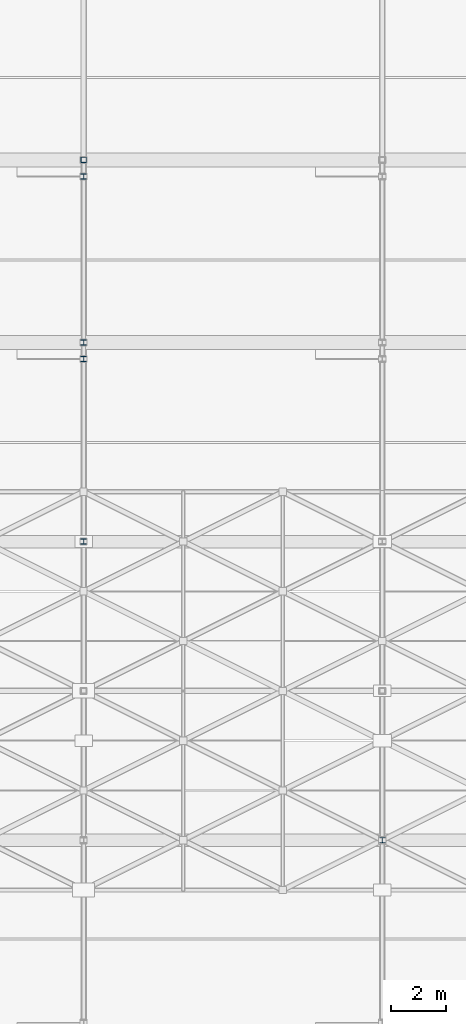
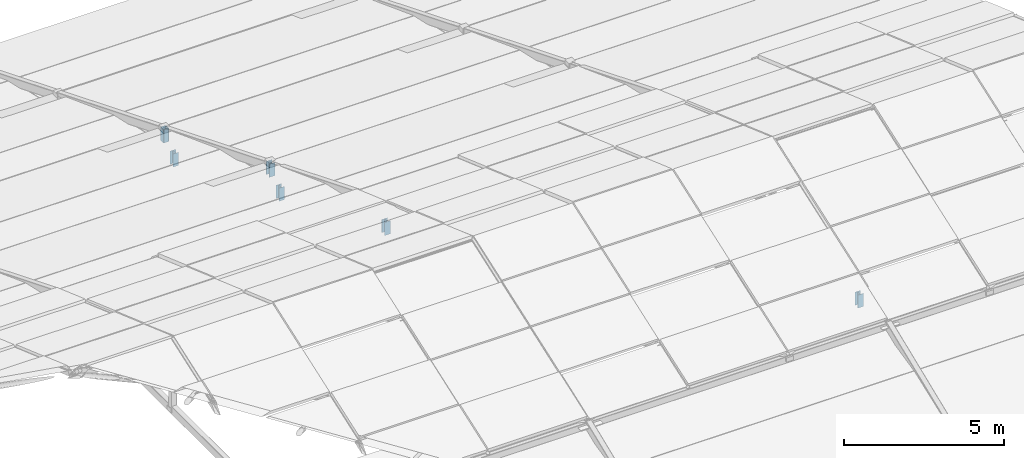
# One storey, part 92 of 112: 6 members.
"""IFC4 building model written with IfcOpenShell, lengths in metres."""

from ifc_helpers import new_model, si_unit, direction, frame, origin, origin_2d, place, context, subcontext, project, spatial, hollow_rectangle, i_section, extrude, material, material_profile, profile_set, type_object, element, save


model = new_model("IFC4")

# Units and contexts
model_context = context("Model", 3, precision=1e-05, world=origin(), true_north=direction((0.0, 1.0)))
body_context = subcontext(model_context, "Body", "Model", "MODEL_VIEW")
ifc_project = project(units=[si_unit("LENGTHUNIT", "METRE"), si_unit("AREAUNIT", "SQUARE_METRE"), si_unit("VOLUMEUNIT", "CUBIC_METRE"), si_unit("PLANEANGLEUNIT", "RADIAN"), si_unit("MASSUNIT", "GRAM", prefix="KILO")], contexts=[model_context])

# Site, building, storey
site_placement = place(None, origin())
site = spatial("IfcSite", under=ifc_project, at=site_placement, CompositionType="ELEMENT")
building_placement = place(site_placement, origin())
building = spatial("IfcBuilding", under=site, at=building_placement, Name="Zwinboog Wholesale Market", CompositionType="ELEMENT")
storey_placement = place(building_placement, frame((0.0, 0.0, 19.080078125)))
storey = spatial("IfcBuildingStorey", under=building, at=storey_placement, Name="Roof", CompositionType="ELEMENT", Elevation=19.080078125)

# Members
ifc_material = material(Name="Steel S355", Category="steel")
ifc_material_profile_1 = material_profile(ifc_material, hollow_rectangle(XDim=0.199951171875, YDim=0.199951171875, WallThickness=0.010009765625, InnerFilletRadius=0.010009765625, OuterFilletRadius=0.02001953125, at=origin_2d()), Name="SHS 200x200x10")
ifc_profile_set_1 = profile_set([ifc_material_profile_1], Name="Steel S355")
member_type_1 = type_object("IfcMemberType", Name="MT-04", PredefinedType="BRACE", material=ifc_profile_set_1)
member_placement = place(storey_placement, frame((151.199951171875, 94.800048828125, -4.630126953125), z_axis=(0.0, 0.0, 1.0), x_axis=(1.0, 0.0, 0.0)))
element("IfcMember", 1, at=member_placement, inside=storey, type_object=member_type_1, Name="DB-01 (MEM-Roof-0261)", PredefinedType="BRACE", context=body_context, shape_type="SweptSolid", body=[
    extrude(hollow_rectangle(XDim=0.199951171875, YDim=0.199951171875, WallThickness=0.010009765625, InnerFilletRadius=0.010009765625, OuterFilletRadius=0.02001953125, at=origin_2d()), origin(), (0.0, 0.0, 1.0), 0.5),
])
ifc_material_profile_2 = material_profile(ifc_material, i_section(OverallWidth=0.199951171875, OverallDepth=0.18994140625, WebThickness=0.006591796875, FlangeThickness=0.010009765625, FilletRadius=0.01806640625, at=origin_2d()), Name="HEA 200")
ifc_profile_set_2 = profile_set([ifc_material_profile_2], Name="Steel S355")
member_type_2 = type_object("IfcMemberType", Name="MT-05", PredefinedType="BRACE", material=ifc_profile_set_2)
for number, where, z_axis, x_axis, name in (
    (2, (151.199951171875, 94.199951171875, -5.18017578125), (0.0, 0.0, 1.0), (1.0, 0.0, 0.0), "DB-02 (MEM-Roof-0259)"),
    (3, (151.199951171875, 87.60009765625, -2.47998046875), (0.0, 0.0, 1.0), (1.0, 0.0, 0.0), "DB-02 (MEM-Roof-0262)"),
    (4, (151.199951171875, 88.199951171875, -1.93017578125), (0.0, 0.0, 1.0), (1.0, 0.0, 0.0), "DB-02 (MEM-Roof-0264)"),
    (5, (151.199951171875, 81.0, 0.219970703125), (0.0, 0.0, 1.0), (1.0, 0.0, 0.0), "DB-02 (MEM-Roof-0265)"),
    (6, (162.0, 70.199951171875, 0.219970703125), (0.0, 0.0, 1.0), (1.0, 0.0, 0.0), "DB-02 (MEM-Roof-0282)"),
):
    element("IfcMember", number, at=place(storey_placement, frame(where, z_axis=z_axis, x_axis=x_axis)), inside=storey, type_object=member_type_2, Name=name, PredefinedType="BRACE", context=body_context, shape_type="SweptSolid", body=[
        extrude(i_section(OverallWidth=0.199951171875, OverallDepth=0.18994140625, WebThickness=0.006591796875, FlangeThickness=0.010009765625, FilletRadius=0.01806640625, at=origin_2d()), origin(), (0.0, 0.0, 1.0), 0.5),
    ])

save(model, "model.ifc")
